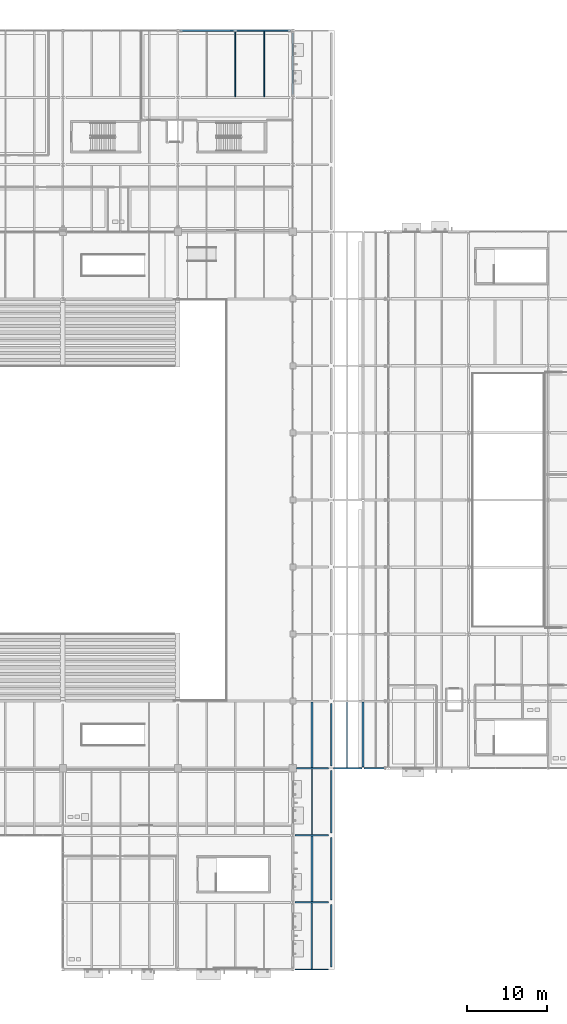
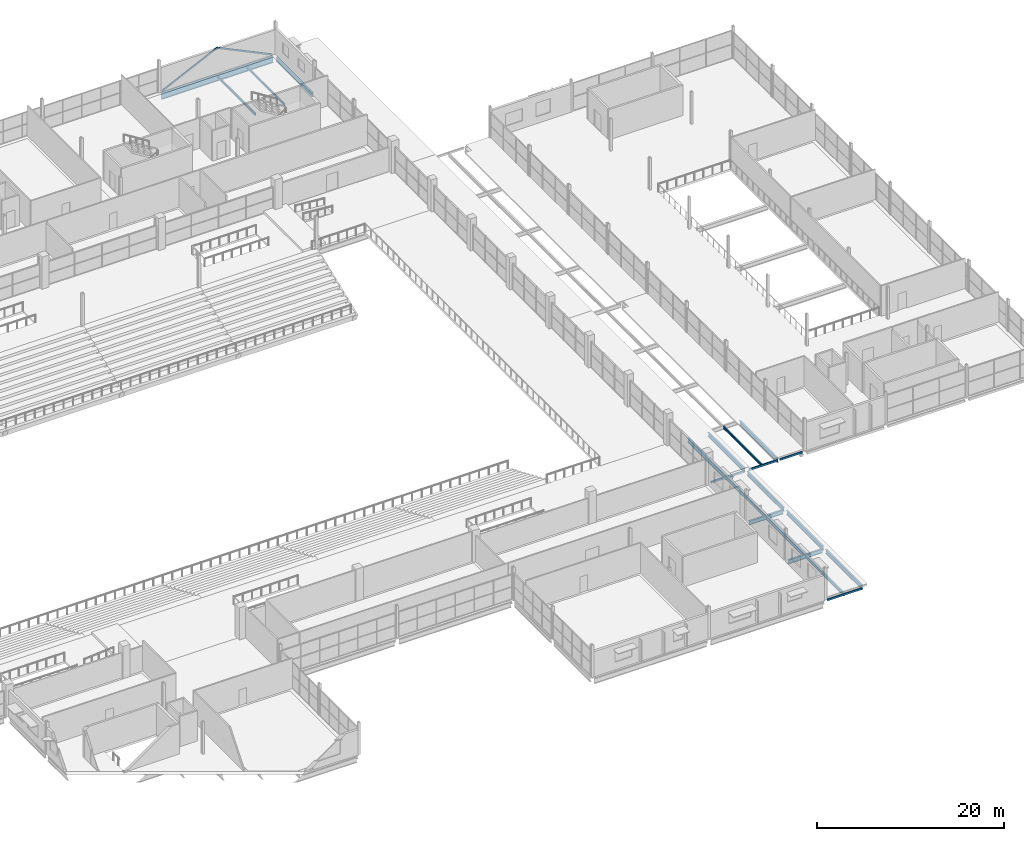
# One storey, part 89 of 161: 20 beams, 2 members.
"""IFC4 building model written with IfcOpenShell, lengths in metres."""

from ifc_helpers import new_model, si_unit, direction, frame, origin, origin_2d, place, context, subcontext, project, spatial, hollow_rectangle, i_section, extrude, material, material_profile, profile_set, type_object, element, save


model = new_model("IFC4")

# Units and contexts
model_context = context("Model", 3, precision=1e-05, world=origin(), true_north=direction((0.0, 1.0)))
body_context = subcontext(model_context, "Body", "Model", "MODEL_VIEW")
ifc_project = project(units=[si_unit("LENGTHUNIT", "METRE"), si_unit("AREAUNIT", "SQUARE_METRE"), si_unit("VOLUMEUNIT", "CUBIC_METRE"), si_unit("PLANEANGLEUNIT", "RADIAN"), si_unit("MASSUNIT", "GRAM", prefix="KILO"), si_unit("THERMODYNAMICTEMPERATUREUNIT", "KELVIN")], contexts=[model_context])

# Site, building, storey
site_placement = place(None, origin())
site = spatial("IfcSite", under=ifc_project, at=site_placement, CompositionType="ELEMENT")
building_placement = place(site_placement, origin())
building = spatial("IfcBuilding", under=site, at=building_placement, Name="Nduvali Passage Aquatics Centre", CompositionType="ELEMENT")
storey_placement = place(building_placement, frame((0.0, 0.0, 4.800048828125)))
storey = spatial("IfcBuildingStorey", under=building, at=storey_placement, Name="L01", CompositionType="ELEMENT", Elevation=4.800048828125)

# Beams
ifc_material = material(Name="Steel S355", Category="steel")
ifc_material_profile_1 = material_profile(ifc_material, i_section(OverallWidth=0.210693359375, OverallDepth=0.53955078125, WebThickness=0.01171875, FlangeThickness=0.018798828125, FilletRadius=0.0126953125, at=origin_2d()), Name="UKB 533x210x109")
ifc_profile_set_1 = profile_set([ifc_material_profile_1], Name="Steel S355")
beam_type_1 = type_object("IfcBeamType", Name="STR-BM-UKB533", PredefinedType="BEAM", material=ifc_profile_set_1)
for number, where, z_axis, x_axis, name in (
    (1, (126.27490234375, 8.39990234375, -0.273681640625), (1.0, 0.0, 0.0), (0.0, 1.0, 0.0), "L01 Primary X-Girder B6-0435"),
    (2, (126.27490234375, 16.800048828125, -0.273681640625), (1.0, 0.0, 0.0), (0.0, 1.0, 0.0), "L01 Primary X-Girder B6-0442"),
):
    element("IfcBeam", number, at=place(storey_placement, frame(where, z_axis=z_axis, x_axis=x_axis)), inside=storey, type_object=beam_type_1, Name=name, PredefinedType="BEAM", context=body_context, shape_type="SweptSolid", body=[
        extrude(i_section(OverallWidth=0.210693359375, OverallDepth=0.53955078125, WebThickness=0.01171875, FlangeThickness=0.018798828125, FilletRadius=0.0126953125, at=origin_2d()), origin(), (0.0, 0.0, 1.0), 4.22509765625),
    ])
for number, where, z_axis, x_axis, name in (
    (3, (130.800048828125, 0.300048828125, -0.273681640625), (0.0, 1.0, 0.0), (-1.0, 0.0, 0.0), "L01 Primary Y-Girder B6-0636"),
    (4, (130.800048828125, 8.699951171875, -0.273681640625), (0.0, 1.0, 0.0), (-1.0, 0.0, 0.0), "L01 Primary Y-Girder B6-0637"),
):
    element("IfcBeam", number, at=place(storey_placement, frame(where, z_axis=z_axis, x_axis=x_axis)), inside=storey, type_object=beam_type_1, Name=name, PredefinedType="BEAM", context=body_context, shape_type="SweptSolid", body=[
        extrude(i_section(OverallWidth=0.210693359375, OverallDepth=0.53955078125, WebThickness=0.01171875, FlangeThickness=0.018798828125, FilletRadius=0.0126953125, at=origin_2d()), origin(), (0.0, 0.0, 1.0), 7.800048828125),
    ])
beam_1_placement = place(storey_placement, frame((130.800048828125, 17.10009765625, -0.273681640625), z_axis=(0.0, 1.0, 0.0), x_axis=(-1.0, 0.0, 0.0)))
element("IfcBeam", 5, at=beam_1_placement, inside=storey, type_object=beam_type_1, Name="L01 Primary Y-Girder B6-0638", PredefinedType="BEAM", context=body_context, shape_type="SweptSolid", body=[
    extrude(i_section(OverallWidth=0.210693359375, OverallDepth=0.53955078125, WebThickness=0.01171875, FlangeThickness=0.018798828125, FilletRadius=0.0126953125, at=origin_2d()), origin(), (0.0, 0.0, 1.0), 7.7998046875),
])
beam_2_placement = place(storey_placement, frame((130.800048828125, 25.5, -0.273681640625), z_axis=(0.0, 1.0, 0.0), x_axis=(-1.0, 0.0, 0.0)))
element("IfcBeam", 6, at=beam_2_placement, inside=storey, type_object=beam_type_1, Name="L01 Primary Y-Girder B6-0639", PredefinedType="BEAM", context=body_context, shape_type="SweptSolid", body=[
    extrude(i_section(OverallWidth=0.210693359375, OverallDepth=0.53955078125, WebThickness=0.01171875, FlangeThickness=0.018798828125, FilletRadius=0.0126953125, at=origin_2d()), origin(), (0.0, 0.0, 1.0), 7.800048828125),
])
beam_3_placement = place(storey_placement, frame((134.800048828125, 25.33642578125, -0.273681640625), z_axis=(0.0, 1.0, 0.0), x_axis=(-1.0, 0.0, 0.0)))
element("IfcBeam", 7, at=beam_3_placement, inside=storey, type_object=beam_type_1, Name="L01 Primary Y-Girder B6-0650", PredefinedType="BEAM", context=body_context, shape_type="SweptSolid", body=[
    extrude(i_section(OverallWidth=0.210693359375, OverallDepth=0.53955078125, WebThickness=0.01171875, FlangeThickness=0.018798828125, FilletRadius=0.0126953125, at=origin_2d()), origin(), (0.0, 0.0, 1.0), 8.141357421875),
])
ifc_material_profile_2 = material_profile(ifc_material, i_section(OverallWidth=0.210693359375, OverallDepth=0.53955078125, WebThickness=0.01171875, FlangeThickness=0.018798828125, FilletRadius=0.0126953125, at=origin_2d()), Name="UKB 533x210x109")
ifc_profile_set_2 = profile_set([ifc_material_profile_2], Name="Steel S355")
beam_type_2 = type_object("IfcBeamType", Name="STR-BM-UKB533-EXT", PredefinedType="BEAM", material=ifc_profile_set_2)
beam_4_placement = place(storey_placement, frame((126.0, 109.574951171875, -0.553955078125), z_axis=(0.0, 1.0, 0.0), x_axis=(-1.0, 0.0, 0.0)))
element("IfcBeam", 8, at=beam_4_placement, inside=storey, type_object=beam_type_2, Name="L01 Primary Y-Girder B6E-0635", PredefinedType="BEAM", context=body_context, shape_type="SweptSolid", body=[
    extrude(i_section(OverallWidth=0.210693359375, OverallDepth=0.53955078125, WebThickness=0.01171875, FlangeThickness=0.018798828125, FilletRadius=0.0126953125, at=origin_2d()), origin(), (0.0, 0.0, 1.0), 7.72509765625),
])
ifc_material_profile_3 = material_profile(ifc_material, i_section(OverallWidth=0.2666015625, OverallDepth=0.76220703125, WebThickness=0.014404296875, FlangeThickness=0.021484375, FilletRadius=0.0166015625, at=origin_2d()), Name="UKB 762x267x173")
ifc_profile_set_3 = profile_set([ifc_material_profile_3], Name="Steel S355")
beam_type_3 = type_object("IfcBeamType", Name="STR-BM-UKB762-EXT", PredefinedType="BEAM", material=ifc_profile_set_3)
beam_5_placement = place(storey_placement, frame((111.89990234375, 117.60009765625, -0.6650390625), z_axis=(1.0, 0.0, 0.0), x_axis=(0.0, 1.0, 0.0)))
element("IfcBeam", 9, at=beam_5_placement, inside=storey, type_object=beam_type_3, Name="L01 Primary X-Girder B4CE-0556", PredefinedType="BEAM", context=body_context, shape_type="SweptSolid", body=[
    extrude(i_section(OverallWidth=0.2666015625, OverallDepth=0.76220703125, WebThickness=0.014404296875, FlangeThickness=0.021484375, FilletRadius=0.0166015625, at=origin_2d()), origin(), (0.0, 0.0, 1.0), 13.800048828125),
])
ifc_material_profile_4 = material_profile(ifc_material, i_section(OverallWidth=0.159912109375, OverallDepth=0.330078125, WebThickness=0.007568359375, FlangeThickness=0.011474609375, FilletRadius=0.01806640625, at=origin_2d()), Name="IPE 330")
ifc_profile_set_4 = profile_set([ifc_material_profile_4], Name="Steel S355")
beam_type_4 = type_object("IfcBeamType", Name="STR-JST-IPE330", PredefinedType="JOIST", material=ifc_profile_set_4)
beam_6_placement = place(storey_placement, frame((132.800048828125, 25.27490234375, -0.1689453125), z_axis=(0.0, 1.0, 0.0), x_axis=(-1.0, 0.0, 0.0)))
element("IfcBeam", 10, at=beam_6_placement, inside=storey, type_object=beam_type_4, Name="L01 Secondary Joist J6A-0742", PredefinedType="JOIST", context=body_context, shape_type="SweptSolid", body=[
    extrude(i_section(OverallWidth=0.159912109375, OverallDepth=0.330078125, WebThickness=0.007568359375, FlangeThickness=0.011474609375, FilletRadius=0.01806640625, at=origin_2d()), origin(), (0.0, 0.0, 1.0), 8.2197265625),
])
ifc_material_profile_5 = material_profile(ifc_material, i_section(OverallWidth=0.199951171875, OverallDepth=0.5, WebThickness=0.01025390625, FlangeThickness=0.01611328125, FilletRadius=0.02099609375, at=origin_2d()), Name="IPE 500")
ifc_profile_set_5 = profile_set([ifc_material_profile_5], Name="Steel S355")
beam_type_5 = type_object("IfcBeamType", Name="STR-JST-IPE500", PredefinedType="JOIST", material=ifc_profile_set_5)
beam_7_placement = place(storey_placement, frame((128.39990234375, 8.50537109375, -0.254150390625), z_axis=(0.0, 1.0, 0.0), x_axis=(-1.0, 0.0, 0.0)))
element("IfcBeam", 11, at=beam_7_placement, inside=storey, type_object=beam_type_5, Name="L01 Secondary Joist J5A-0709", PredefinedType="JOIST", context=body_context, shape_type="SweptSolid", body=[
    extrude(i_section(OverallWidth=0.199951171875, OverallDepth=0.5, WebThickness=0.01025390625, FlangeThickness=0.01611328125, FilletRadius=0.02099609375, at=origin_2d()), origin(), (0.0, 0.0, 1.0), 8.189208984375),
])
ifc_material_profile_6 = material_profile(ifc_material, i_section(OverallWidth=0.2099609375, OverallDepth=0.550048828125, WebThickness=0.010986328125, FlangeThickness=0.01708984375, FilletRadius=0.02392578125, at=origin_2d()), Name="IPE 550")
ifc_profile_set_6 = profile_set([ifc_material_profile_6], Name="Steel S355")
beam_type_6 = type_object("IfcBeamType", Name="STR-JST-IPE550", PredefinedType="JOIST", material=ifc_profile_set_6)
beam_8_placement = place(storey_placement, frame((128.39990234375, 25.27490234375, -0.279052734375), z_axis=(0.0, 1.0, 0.0), x_axis=(-1.0, 0.0, 0.0)))
element("IfcBeam", 12, at=beam_8_placement, inside=storey, type_object=beam_type_6, Name="L01 Secondary Joist J5C-0741", PredefinedType="JOIST", context=body_context, shape_type="SweptSolid", body=[
    extrude(i_section(OverallWidth=0.2099609375, OverallDepth=0.550048828125, WebThickness=0.010986328125, FlangeThickness=0.01708984375, FilletRadius=0.02392578125, at=origin_2d()), origin(), (0.0, 0.0, 1.0), 8.2197265625),
])
ifc_material_profile_7 = material_profile(ifc_material, i_section(OverallWidth=0.124267578125, OverallDepth=0.30712890625, WebThickness=0.008056640625, FlangeThickness=0.01220703125, FilletRadius=0.0087890625, at=origin_2d()), Name="UKB 305x127x42")
ifc_profile_set_7 = profile_set([ifc_material_profile_7], Name="Steel S355")
beam_type_7 = type_object("IfcBeamType", Name="STR-JST-UKB305L", PredefinedType="JOIST", material=ifc_profile_set_7)
for number, where, z_axis, x_axis, name in (
    (13, (118.800048828125, 109.326904296875, -0.437744140625), (0.0, 1.0, 0.0), (-1.0, 0.0, 0.0), "L01 Secondary Joist J3A-0857"),
    (14, (122.39990234375, 109.326904296875, -0.437744140625), (0.0, 1.0, 0.0), (-1.0, 0.0, 0.0), "L01 Secondary Joist J3A-0858"),
):
    element("IfcBeam", number, at=place(storey_placement, frame(where, z_axis=z_axis, x_axis=x_axis)), inside=storey, type_object=beam_type_7, Name=name, PredefinedType="JOIST", context=body_context, shape_type="SweptSolid", body=[
        extrude(i_section(OverallWidth=0.124267578125, OverallDepth=0.30712890625, WebThickness=0.008056640625, FlangeThickness=0.01220703125, FilletRadius=0.0087890625, at=origin_2d()), origin(), (0.0, 0.0, 1.0), 8.139892578125),
    ])
ifc_material_profile_8 = material_profile(ifc_material, i_section(OverallWidth=0.1787109375, OverallDepth=0.409423828125, WebThickness=0.0087890625, FlangeThickness=0.014404296875, FilletRadius=0.01025390625, at=origin_2d()), Name="UKB 406x178x67")
ifc_profile_set_8 = profile_set([ifc_material_profile_8], Name="Steel S355")
beam_type_8 = type_object("IfcBeamType", Name="STR-JST-UKB406", PredefinedType="JOIST", material=ifc_profile_set_8)
beam_9_placement = place(storey_placement, frame((128.39990234375, 0.074951171875, -0.208740234375), z_axis=(0.0, 1.0, 0.0), x_axis=(-1.0, 0.0, 0.0)))
element("IfcBeam", 15, at=beam_9_placement, inside=storey, type_object=beam_type_8, Name="L01 Secondary Joist J1-0702", PredefinedType="JOIST", context=body_context, shape_type="SweptSolid", body=[
    extrude(i_section(OverallWidth=0.1787109375, OverallDepth=0.409423828125, WebThickness=0.0087890625, FlangeThickness=0.014404296875, FilletRadius=0.01025390625, at=origin_2d()), origin(), (0.0, 0.0, 1.0), 8.2197265625),
])
ifc_material_profile_9 = material_profile(ifc_material, i_section(OverallWidth=0.15283203125, OverallDepth=0.45458984375, WebThickness=0.008056640625, FlangeThickness=0.01318359375, FilletRadius=0.01025390625, at=origin_2d()), Name="UKB 457x152x60")
ifc_profile_set_9 = profile_set([ifc_material_profile_9], Name="Steel S355")
beam_type_9 = type_object("IfcBeamType", Name="STR-JST-UKB457L", PredefinedType="JOIST", material=ifc_profile_set_9)
beam_10_placement = place(storey_placement, frame((128.39990234375, 16.905517578125, -0.2314453125), z_axis=(0.0, 1.0, 0.0), x_axis=(-1.0, 0.0, 0.0)))
element("IfcBeam", 16, at=beam_10_placement, inside=storey, type_object=beam_type_9, Name="L01 Secondary Joist J1A-0728", PredefinedType="JOIST", context=body_context, shape_type="SweptSolid", body=[
    extrude(i_section(OverallWidth=0.15283203125, OverallDepth=0.45458984375, WebThickness=0.008056640625, FlangeThickness=0.01318359375, FilletRadius=0.01025390625, at=origin_2d()), origin(), (0.0, 0.0, 1.0), 8.219482421875),
])

# Members
ifc_material_profile_10 = material_profile(ifc_material, hollow_rectangle(XDim=0.10009765625, YDim=0.199951171875, WallThickness=0.00634765625, at=origin_2d()), Name="RHS 200x100x6.3")
ifc_profile_set_10 = profile_set([ifc_material_profile_10], Name="Steel S355")
member_type = type_object("IfcMemberType", Name="STR-MEM-RHS200", PredefinedType="BRACE", material=ifc_profile_set_10)
for number, where, z_axis, x_axis, name in (
    (17, (112.0, 117.60009765625, 0.0), (0.902247666289, 0.0, 0.431218214686), (0.0, 1.0, 0.0), "L01 Chevron Frame Brace 6L"),
    (18, (125.60009765625, 117.60009765625, 0.0), (-0.902247666289, 0.0, 0.431218214686), (0.0, -1.0, 0.0), "L01 Chevron Frame Brace 6R"),
):
    element("IfcMember", number, at=place(storey_placement, frame(where, z_axis=z_axis, x_axis=x_axis)), inside=storey, type_object=member_type, Name=name, PredefinedType="BRACE", context=body_context, shape_type="SweptSolid", body=[
        extrude(hollow_rectangle(XDim=0.10009765625, YDim=0.199951171875, WallThickness=0.00634765625, at=origin_2d()), origin(), (0.0, 0.0, 1.0), 7.536865234375),
    ])

# Beams
ifc_material_profile_11 = material_profile(ifc_material, hollow_rectangle(XDim=0.14990234375, YDim=0.25, WallThickness=0.008056640625, at=origin_2d()), Name="RHS 250x150x8.0")
ifc_profile_set_11 = profile_set([ifc_material_profile_11], Name="Steel S355")
beam_type_10 = type_object("IfcBeamType", Name="STR-SPN-RHS250-EXT", PredefinedType="SPANDREL", material=ifc_profile_set_11)
beam_11_placement = place(storey_placement, frame((126.27490234375, 0.0, -0.129150390625), z_axis=(1.0, 0.0, 0.0), x_axis=(0.0, 1.0, 0.0)))
element("IfcBeam", 19, at=beam_11_placement, inside=storey, type_object=beam_type_10, Name="L01 Primary X-Girder SP2E-0430", PredefinedType="SPANDREL", context=body_context, shape_type="SweptSolid", body=[
    extrude(hollow_rectangle(XDim=0.14990234375, YDim=0.25, WallThickness=0.008056640625, at=origin_2d()), origin(), (0.0, 0.0, 1.0), 4.22509765625),
])
beam_12_placement = place(storey_placement, frame((126.449951171875, 25.199951171875, -0.129150390625), z_axis=(1.0, 0.0, 0.0), x_axis=(0.0, 1.0, 0.0)))
element("IfcBeam", 20, at=beam_12_placement, inside=storey, type_object=beam_type_10, Name="L01 Primary X-Girder SP2E-0450", PredefinedType="SPANDREL", context=body_context, shape_type="SweptSolid", body=[
    extrude(hollow_rectangle(XDim=0.14990234375, YDim=0.25, WallThickness=0.008056640625, at=origin_2d()), origin(), (0.0, 0.0, 1.0), 4.050048828125),
])
beam_13_placement = place(storey_placement, frame((131.10009765625, 25.199951171875, -0.129150390625), z_axis=(1.0, 0.0, 0.0), x_axis=(0.0, 1.0, 0.0)))
element("IfcBeam", 21, at=beam_13_placement, inside=storey, type_object=beam_type_10, Name="L01 Primary X-Girder SP2E-0451", PredefinedType="SPANDREL", context=body_context, shape_type="SweptSolid", body=[
    extrude(hollow_rectangle(XDim=0.14990234375, YDim=0.25, WallThickness=0.008056640625, at=origin_2d()), origin(), (0.0, 0.0, 1.0), 3.5634765625),
])
beam_14_placement = place(storey_placement, frame((134.9365234375, 25.199951171875, -0.129150390625), z_axis=(1.0, 0.0, 0.0), x_axis=(0.0, 1.0, 0.0)))
element("IfcBeam", 22, at=beam_14_placement, inside=storey, type_object=beam_type_10, Name="L01 Primary X-Girder SP2E-0452", PredefinedType="SPANDREL", context=body_context, shape_type="SweptSolid", body=[
    extrude(hollow_rectangle(XDim=0.14990234375, YDim=0.25, WallThickness=0.008056640625, at=origin_2d()), origin(), (0.0, 0.0, 1.0), 2.78857421875),
])

save(model, "model.ifc")
